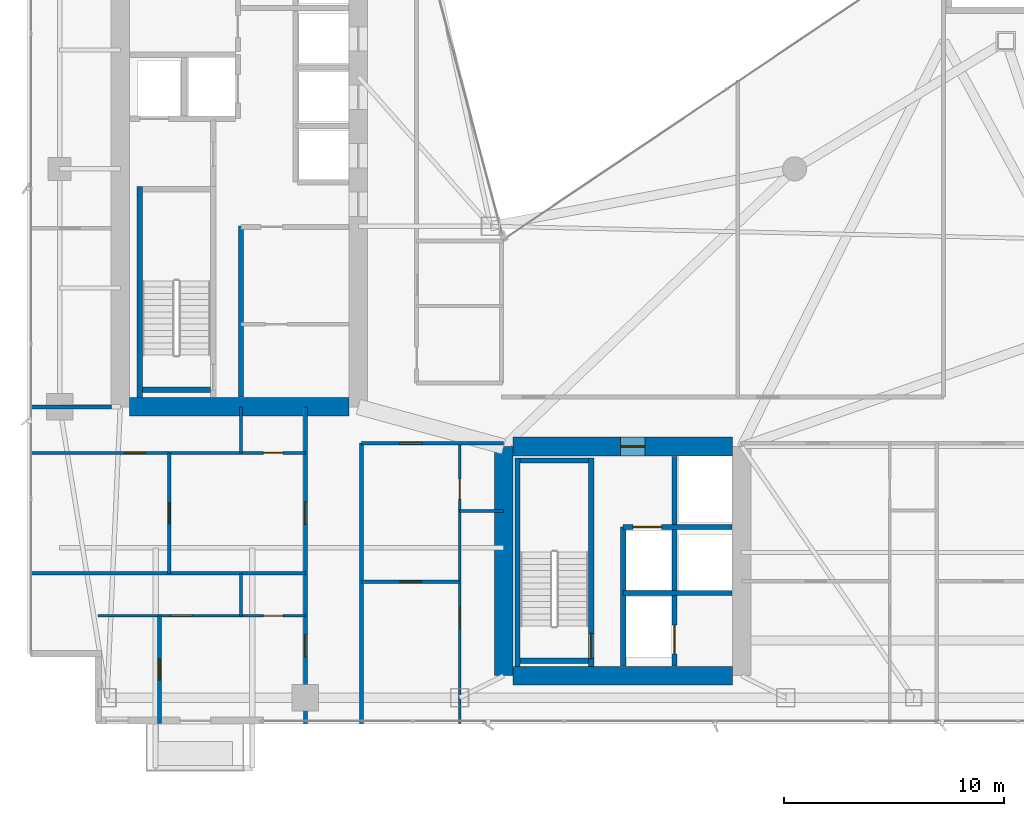
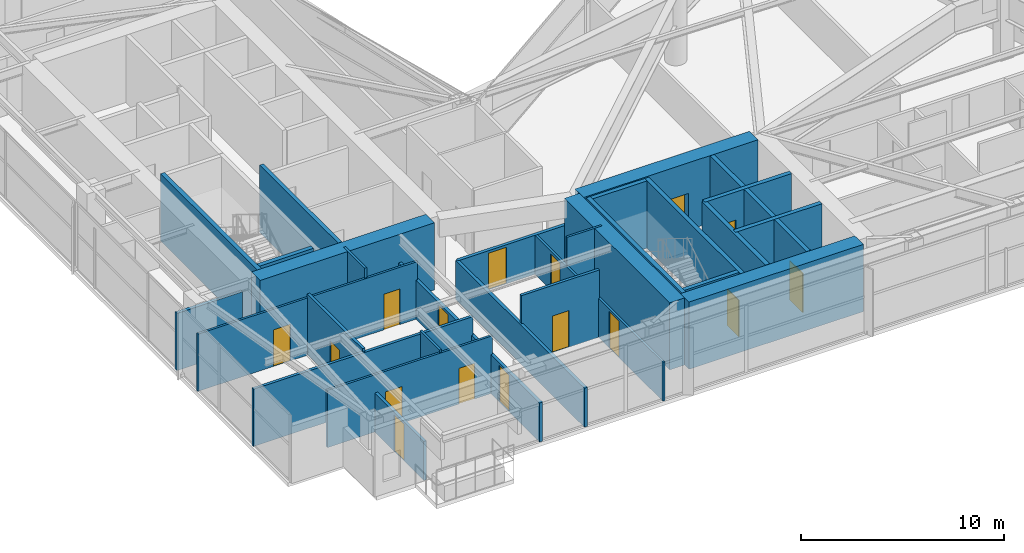
# One storey, part 24 of 30: 29 walls, 16 doors, 16 openings.
"""IFC4 building model written with IfcOpenShell, lengths in metres."""

from ifc_helpers import new_model, si_unit, direction, frame, frame_2d, origin, place, context, subcontext, project, spatial, rectangle, extrude, material, layer, layer_set, type_object, element, fill, save


model = new_model("IFC4")

# Units and contexts
model_context = context("Model", 3, precision=1e-05, world=origin(), true_north=direction((0.0, 1.0)))
body_context = subcontext(model_context, "Body", "Model", "MODEL_VIEW")
ifc_project = project(units=[si_unit("LENGTHUNIT", "METRE"), si_unit("AREAUNIT", "SQUARE_METRE"), si_unit("VOLUMEUNIT", "CUBIC_METRE"), si_unit("PLANEANGLEUNIT", "RADIAN"), si_unit("MASSUNIT", "GRAM", prefix="KILO")], contexts=[model_context])

# Site, building, storey
site_placement = place(None, origin())
site = spatial("IfcSite", under=ifc_project, at=site_placement, CompositionType="ELEMENT")
building_placement = place(site_placement, origin())
building = spatial("IfcBuilding", under=site, at=building_placement, Name="Calvorn Quay Hotel", CompositionType="ELEMENT")
storey_placement = place(building_placement, frame((0.0, 0.0, 195.10009765625)))
storey = spatial("IfcBuildingStorey", under=building, at=storey_placement, Name="L48", CompositionType="ELEMENT", Elevation=195.10009765625)

# Walls
ifc_material_1 = material(Name="Concrete C50", Category="concrete")
ifc_layer_1 = layer(ifc_material_1, 0.85009765625)
ifc_layer_set_1 = layer_set([ifc_layer_1], Name="WL-CORE-850")
wall_type_1 = type_object("IfcWallType", Name="WL-CORE-850", PredefinedType="SHEAR", material=ifc_layer_set_1)
wall_1_placement = place(storey_placement, frame((4.625, 16.800048828125, 0.0), z_axis=(0.0, 0.0, 1.0), x_axis=(1.0, 0.0, 0.0)))
element("IfcWall", 1, at=wall_1_placement, inside=storey, type_object=wall_type_1, Name="West Core Shear Wall S (L48)", PredefinedType="SHEAR", context=body_context, shape_type="SweptSolid", body=[
    extrude(rectangle(XDim=9.949951171875, YDim=0.85009765625, at=frame_2d((4.97509765625, 0.0))), origin(), (0.0, 0.0, 1.0), 4.0498046875),
])
wall_2_placement = place(storey_placement, frame((21.60009765625, 4.60009765625, 0.0), z_axis=(0.0, 0.0, 1.0), x_axis=(0.0, 1.0, 0.0)))
element("IfcWall", 2, at=wall_2_placement, inside=storey, type_object=wall_type_1, Name="East Core Shear Wall W (L48)", PredefinedType="SHEAR", context=body_context, shape_type="SweptSolid", body=[
    extrude(rectangle(XDim=10.39990234375, YDim=0.85009765625, at=frame_2d((5.199951171875, 0.0))), origin(), (0.0, 0.0, 1.0), 4.0498046875),
])

# Wall, opening, door
wall_3_placement = place(storey_placement, frame((22.02490234375, 15.0, 0.0), z_axis=(0.0, 0.0, 1.0), x_axis=(1.0, 0.0, 0.0)))
wall_3 = element("IfcWall", 3, at=wall_3_placement, inside=storey, type_object=wall_type_1, Name="East Core Shear Wall N (L48)", PredefinedType="SHEAR", context=body_context, shape_type="SweptSolid", body=[
    extrude(rectangle(XDim=9.9501953125, YDim=0.85009765625, at=frame_2d((4.97509765625, 0.0))), origin(), (0.0, 0.0, 1.0), 4.0498046875),
])
opening_1_placement = place(wall_3_placement, frame((4.8798828125, 0.0, 0.0)))
opening_1 = element("IfcOpeningElement", 4, at=opening_1_placement, cuts=wall_3, Name="Opening D-L48-FLE", PredefinedType="OPENING", context=body_context, shape_type="SweptSolid", body=[
    extrude(rectangle(XDim=1.10009765625, YDim=2.199951171875, at=frame_2d((0.550048828125, 1.10009765625))), frame((0.0, 0.43505859375, 0.0), z_axis=(0.0, -1.0, 0.0), x_axis=(1.0, 0.0, 0.0)), (0.0, 0.0, 1.0), 0.8701171875),
])
ifc_material_2 = material(Name="Smoke-Sealed Steel Class A Fire Door", Category="steel")
door_type_1 = type_object("IfcDoorType", Name="DR-FFLOBBY-1100", OperationType="NOTDEFINED", PredefinedType="DOOR", material=ifc_material_2)
door_1_placement = place(opening_1_placement, origin())
door_1 = element("IfcDoor", 5, at=door_1_placement, inside=storey, type_object=door_type_1, Name="East Firefighting Lobby Fire Door (L48)", OperationType="SINGLE_SWING_RIGHT", OverallHeight=2.199951171875, OverallWidth=1.10009765625, PredefinedType="DOOR", context=body_context, shape_type="SweptSolid", body=[
    extrude(rectangle(XDim=1.10009765625, YDim=2.199951171875, at=frame_2d((0.550048828125, 1.10009765625))), frame((0.0, 0.02490234375, 0.0), z_axis=(0.0, -1.0, 0.0), x_axis=(1.0, 0.0, 0.0)), (0.0, 0.0, 1.0), 0.050048828125),
])
fill(opening_1, door_1)

# Walls
wall_4_placement = place(storey_placement, frame((22.02490234375, 4.60009765625, 0.0), z_axis=(0.0, 0.0, 1.0), x_axis=(1.0, 0.0, 0.0)))
element("IfcWall", 6, at=wall_4_placement, inside=storey, type_object=wall_type_1, Name="East Core Shear Wall S (L48)", PredefinedType="SHEAR", context=body_context, shape_type="SweptSolid", body=[
    extrude(rectangle(XDim=9.9501953125, YDim=0.85009765625, at=frame_2d((4.97509765625, 0.0))), origin(), (0.0, 0.0, 1.0), 4.0498046875),
])
ifc_material_3 = material(Name="Acoustic Fireboard Steel-Stud Partition", Category="steel")
ifc_layer_2 = layer(ifc_material_3, 0.179931640625)
ifc_layer_set_2 = layer_set([ifc_layer_2], Name="WL-CORR-FIRE-180")
wall_type_2 = type_object("IfcWallType", Name="WL-CORR-FIRE-180", PredefinedType="PARTITIONING", material=ifc_layer_set_2)
wall_5_placement = place(storey_placement, frame((0.080078125, 16.800048828125, 0.0), z_axis=(0.0, 0.0, 1.0), x_axis=(1.0, 0.0, 0.0)))
element("IfcWall", 7, at=wall_5_placement, inside=storey, type_object=wall_type_2, Name="Partition Wall L48-WL-WBAY-S-WALL", PredefinedType="PARTITIONING", context=body_context, shape_type="SweptSolid", body=[
    extrude(rectangle(XDim=3.724853515625, YDim=0.179931640625, at=frame_2d((1.8623046875, 0.0))), origin(), (0.0, 0.0, 1.0), 3.449951171875),
])

# Wall, openings, doors
wall_6_placement = place(storey_placement, frame((12.60009765625, 2.43994140625, 0.0), z_axis=(0.0, 0.0, 1.0), x_axis=(0.0, 1.0, 0.0)))
wall_6 = element("IfcWall", 8, at=wall_6_placement, inside=storey, type_object=wall_type_2, Name="Partition Wall L48-WL-CORR-SW-LEG-W", PredefinedType="PARTITIONING", context=body_context, shape_type="SweptSolid", body=[
    extrude(rectangle(XDim=14.360107421875, YDim=0.179931640625, at=frame_2d((7.18017578125, 0.0))), origin(), (0.0, 0.0, 1.0), 2.349853515625),
])
opening_2_placement = place(wall_6_placement, frame((3.010009765625, 0.0, 0.0)))
opening_2 = element("IfcOpeningElement", 9, at=opening_2_placement, cuts=wall_6, Name="Opening D-L48-U01", PredefinedType="OPENING", context=body_context, shape_type="SweptSolid", body=[
    extrude(rectangle(XDim=1.02001953125, YDim=2.199951171875, at=frame_2d((0.510009765625, 1.10009765625))), frame((0.0, 0.099853515625, 0.0), z_axis=(0.0, -1.0, 0.0), x_axis=(1.0, 0.0, 0.0)), (0.0, 0.0, 1.0), 0.199951171875),
])
opening_3_placement = place(wall_6_placement, frame((9.030029296875, 0.0, 0.0)))
opening_3 = element("IfcOpeningElement", 10, at=opening_3_placement, cuts=wall_6, Name="Opening D-L48-U02", PredefinedType="OPENING", context=body_context, shape_type="SweptSolid", body=[
    extrude(rectangle(XDim=1.02001953125, YDim=2.199951171875, at=frame_2d((0.510009765625, 1.10009765625))), frame((0.0, 0.099853515625, 0.0), z_axis=(0.0, -1.0, 0.0), x_axis=(1.0, 0.0, 0.0)), (0.0, 0.0, 1.0), 0.199951171875),
])
ifc_material_4 = material(Name="Solid-Core Walnut Veneer Hotel Fire Door")
door_type_2 = type_object("IfcDoorType", Name="DR-GUEST-ENTRY-1020", OperationType="NOTDEFINED", PredefinedType="DOOR", material=ifc_material_4)
door_2_placement = place(opening_2_placement, origin())
door_2 = element("IfcDoor", 11, at=door_2_placement, inside=storey, type_object=door_type_2, Name="South-West Unit Door U01 (L48)", OperationType="SINGLE_SWING_LEFT", OverallHeight=2.199951171875, OverallWidth=1.02001953125, PredefinedType="DOOR", context=body_context, shape_type="SweptSolid", body=[
    extrude(rectangle(XDim=1.02001953125, YDim=2.199951171875, at=frame_2d((0.510009765625, 1.10009765625))), frame((0.0, 0.02490234375, 0.0), z_axis=(0.0, -1.0, 0.0), x_axis=(1.0, 0.0, 0.0)), (0.0, 0.0, 1.0), 0.050048828125),
])
fill(opening_2, door_2)
door_3_placement = place(opening_3_placement, origin())
door_3 = element("IfcDoor", 12, at=door_3_placement, inside=storey, type_object=door_type_2, Name="South-West Unit Door U02 (L48)", OperationType="SINGLE_SWING_RIGHT", OverallHeight=2.199951171875, OverallWidth=1.02001953125, PredefinedType="DOOR", context=body_context, shape_type="SweptSolid", body=[
    extrude(rectangle(XDim=1.02001953125, YDim=2.199951171875, at=frame_2d((0.510009765625, 1.10009765625))), frame((0.0, 0.02490234375, 0.0), z_axis=(0.0, -1.0, 0.0), x_axis=(1.0, 0.0, 0.0)), (0.0, 0.0, 1.0), 0.050048828125),
])
fill(opening_3, door_3)

# Wall
wall_7_placement = place(storey_placement, frame((15.14990234375, 2.43994140625, 0.0), z_axis=(0.0, 0.0, 1.0), x_axis=(0.0, 1.0, 0.0)))
element("IfcWall", 13, at=wall_7_placement, inside=storey, type_object=wall_type_2, Name="Partition Wall L48-WL-CORR-SW-W", PredefinedType="PARTITIONING", context=body_context, shape_type="SweptSolid", body=[
    extrude(rectangle(XDim=12.7099609375, YDim=0.179931640625, at=frame_2d((6.35498046875, 0.0))), origin(), (0.0, 0.0, 1.0), 2.349853515625),
])

# Wall, opening, door
wall_8_placement = place(storey_placement, frame((15.14990234375, 15.14990234375, 0.0), z_axis=(0.0, 0.0, 1.0), x_axis=(1.0, 0.0, 0.0)))
wall_8 = element("IfcWall", 14, at=wall_8_placement, inside=storey, type_object=wall_type_2, Name="Partition Wall L48-WL-SC-CORR-S", PredefinedType="PARTITIONING", context=body_context, shape_type="SweptSolid", body=[
    extrude(rectangle(XDim=6.4501953125, YDim=0.179931640625, at=frame_2d((3.22509765625, 0.0))), origin(), (0.0, 0.0, 1.0), 2.349853515625),
])
opening_4_placement = place(wall_8_placement, frame((1.739990234375, 0.0, 0.0)))
opening_4 = element("IfcOpeningElement", 15, at=opening_4_placement, cuts=wall_8, Name="Opening D-L48-U03", PredefinedType="OPENING", context=body_context, shape_type="SweptSolid", body=[
    extrude(rectangle(XDim=1.02001953125, YDim=2.199951171875, at=frame_2d((0.510009765625, 1.10009765625))), frame((0.0, 0.099853515625, 0.0), z_axis=(0.0, -1.0, 0.0), x_axis=(1.0, 0.0, 0.0)), (0.0, 0.0, 1.0), 0.199951171875),
])
door_4_placement = place(opening_4_placement, origin())
door_4 = element("IfcDoor", 16, at=door_4_placement, inside=storey, type_object=door_type_2, Name="Harbour Central Unit Door (L48)", OperationType="SINGLE_SWING_LEFT", OverallHeight=2.199951171875, OverallWidth=1.02001953125, PredefinedType="DOOR", context=body_context, shape_type="SweptSolid", body=[
    extrude(rectangle(XDim=1.02001953125, YDim=2.199951171875, at=frame_2d((0.510009765625, 1.10009765625))), frame((0.0, 0.02490234375, 0.0), z_axis=(0.0, -1.0, 0.0), x_axis=(1.0, 0.0, 0.0)), (0.0, 0.0, 1.0), 0.050048828125),
])
fill(opening_4, door_4)

# Wall
ifc_material_5 = material(Name="Moisture-Resistant Tile-Backed Partition")
ifc_layer_3 = layer(ifc_material_5, 0.125)
ifc_layer_set_3 = layer_set([ifc_layer_3], Name="WL-ENSUITE-125")
wall_type_3 = type_object("IfcWallType", Name="WL-ENSUITE-125", PredefinedType="PARTITIONING", material=ifc_layer_set_3)
wall_9_placement = place(storey_placement, frame((9.679931640625, 7.320068359375, 0.0), z_axis=(0.0, 0.0, 1.0), x_axis=(0.0, 1.0, 0.0)))
element("IfcWall", 17, at=wall_9_placement, inside=storey, type_object=wall_type_3, Name="Partition Wall L48-WL-U01-BDV", PredefinedType="PARTITIONING", context=body_context, shape_type="SweptSolid", body=[
    extrude(rectangle(XDim=1.929931640625, YDim=0.125, at=frame_2d((0.96484375, 0.0))), origin(), (0.0, 0.0, 1.0), 3.599853515625),
])

# Wall, openings, doors
wall_10_placement = place(storey_placement, frame((3.199951171875, 7.320068359375, 0.0), z_axis=(0.0, 0.0, 1.0), x_axis=(1.0, 0.0, 0.0)))
wall_10 = element("IfcWall", 18, at=wall_10_placement, inside=storey, type_object=wall_type_3, Name="Partition Wall L48-WL-U01-BH", PredefinedType="PARTITIONING", context=body_context, shape_type="SweptSolid", body=[
    extrude(rectangle(XDim=9.400146484375, YDim=0.125, at=frame_2d((4.7001953125, 0.0))), origin(), (0.0, 0.0, 1.0), 3.449951171875),
])
opening_5_placement = place(wall_10_placement, frame((3.300048828125, 0.0, 0.0)))
opening_5 = element("IfcOpeningElement", 19, at=opening_5_placement, cuts=wall_10, Name="Opening D-L48-S01", PredefinedType="OPENING", context=body_context, shape_type="SweptSolid", body=[
    extrude(rectangle(XDim=0.9599609375, YDim=2.199951171875, at=frame_2d((0.47998046875, 1.10009765625))), frame((0.0, 0.072509765625, 0.0), z_axis=(0.0, -1.0, 0.0), x_axis=(1.0, 0.0, 0.0)), (0.0, 0.0, 1.0), 0.14501953125),
])
opening_6_placement = place(wall_10_placement, frame((7.489990234375, 0.0, 0.0)))
opening_6 = element("IfcOpeningElement", 20, at=opening_6_placement, cuts=wall_10, Name="Opening D-L48-E01", PredefinedType="OPENING", context=body_context, shape_type="SweptSolid", body=[
    extrude(rectangle(XDim=0.89990234375, YDim=2.14990234375, at=frame_2d((0.449951171875, 1.074951171875))), frame((0.0, 0.072509765625, 0.0), z_axis=(0.0, -1.0, 0.0), x_axis=(1.0, 0.0, 0.0)), (0.0, 0.0, 1.0), 0.14501953125),
])
ifc_material_6 = material(Name="Moisture-Sealed Timber En-Suite Door", Category="wood")
door_type_3 = type_object("IfcDoorType", Name="DR-ENSUITE-900", OperationType="NOTDEFINED", PredefinedType="DOOR", material=ifc_material_6)
door_5_placement = place(opening_6_placement, origin())
door_5 = element("IfcDoor", 21, at=door_5_placement, inside=storey, type_object=door_type_3, Name="En-Suite Door 01", OperationType="SINGLE_SWING_RIGHT", OverallHeight=2.14990234375, OverallWidth=0.89990234375, PredefinedType="DOOR", context=body_context, shape_type="SweptSolid", body=[
    extrude(rectangle(XDim=0.89990234375, YDim=2.14990234375, at=frame_2d((0.449951171875, 1.074951171875))), frame((0.0, 0.02490234375, 0.0), z_axis=(0.0, -1.0, 0.0), x_axis=(1.0, 0.0, 0.0)), (0.0, 0.0, 1.0), 0.050048828125),
])
fill(opening_6, door_5)
ifc_material_7 = material(Name="Solid Timber Internal Suite Door", Category="wood")
door_type_4 = type_object("IfcDoorType", Name="DR-SUITE-INT-960", OperationType="NOTDEFINED", PredefinedType="DOOR", material=ifc_material_7)
door_6_placement = place(opening_5_placement, origin())
door_6 = element("IfcDoor", 22, at=door_6_placement, inside=storey, type_object=door_type_4, Name="Harbour Dining Den Door 01", OperationType="SINGLE_SWING_LEFT", OverallHeight=2.199951171875, OverallWidth=0.9599609375, PredefinedType="DOOR", context=body_context, shape_type="SweptSolid", body=[
    extrude(rectangle(XDim=0.9599609375, YDim=2.199951171875, at=frame_2d((0.47998046875, 1.10009765625))), frame((0.0, 0.02490234375, 0.0), z_axis=(0.0, -1.0, 0.0), x_axis=(1.0, 0.0, 0.0)), (0.0, 0.0, 1.0), 0.050048828125),
])
fill(opening_5, door_6)

# Wall
wall_11_placement = place(storey_placement, frame((9.679931640625, 14.7099609375, 0.0), z_axis=(0.0, 0.0, 1.0), x_axis=(0.0, 1.0, 0.0)))
element("IfcWall", 23, at=wall_11_placement, inside=storey, type_object=wall_type_3, Name="Partition Wall L48-WL-U02-BDV", PredefinedType="PARTITIONING", context=body_context, shape_type="SweptSolid", body=[
    extrude(rectangle(XDim=2.090087890625, YDim=0.125, at=frame_2d((1.044921875, 0.0))), origin(), (0.0, 0.0, 1.0), 4.0498046875),
])

# Wall, openings, doors
wall_12_placement = place(storey_placement, frame((0.080078125, 14.7099609375, 0.0), z_axis=(0.0, 0.0, 1.0), x_axis=(1.0, 0.0, 0.0)))
wall_12 = element("IfcWall", 24, at=wall_12_placement, inside=storey, type_object=wall_type_3, Name="Partition Wall L48-WL-U02-BH", PredefinedType="PARTITIONING", context=body_context, shape_type="SweptSolid", body=[
    extrude(rectangle(XDim=12.52001953125, YDim=0.125, at=frame_2d((6.260009765625, 0.0))), origin(), (0.0, 0.0, 1.0), 3.449951171875),
])
opening_7_placement = place(wall_12_placement, frame((4.320068359375, 0.0, 0.0)))
opening_7 = element("IfcOpeningElement", 25, at=opening_7_placement, cuts=wall_12, Name="Opening D-L48-S02", PredefinedType="OPENING", context=body_context, shape_type="SweptSolid", body=[
    extrude(rectangle(XDim=0.9599609375, YDim=2.199951171875, at=frame_2d((0.47998046875, 1.10009765625))), frame((0.0, 0.072509765625, 0.0), z_axis=(0.0, -1.0, 0.0), x_axis=(1.0, 0.0, 0.0)), (0.0, 0.0, 1.0), 0.14501953125),
])
opening_8_placement = place(wall_12_placement, frame((10.610107421875, 0.0, 0.0)))
opening_8 = element("IfcOpeningElement", 26, at=opening_8_placement, cuts=wall_12, Name="Opening D-L48-E02", PredefinedType="OPENING", context=body_context, shape_type="SweptSolid", body=[
    extrude(rectangle(XDim=0.89990234375, YDim=2.14990234375, at=frame_2d((0.449951171875, 1.074951171875))), frame((0.0, 0.072509765625, 0.0), z_axis=(0.0, -1.0, 0.0), x_axis=(1.0, 0.0, 0.0)), (0.0, 0.0, 1.0), 0.14501953125),
])
door_7_placement = place(opening_8_placement, origin())
door_7 = element("IfcDoor", 27, at=door_7_placement, inside=storey, type_object=door_type_3, Name="En-Suite Door 02", OperationType="SINGLE_SWING_RIGHT", OverallHeight=2.14990234375, OverallWidth=0.89990234375, PredefinedType="DOOR", context=body_context, shape_type="SweptSolid", body=[
    extrude(rectangle(XDim=0.89990234375, YDim=2.14990234375, at=frame_2d((0.449951171875, 1.074951171875))), frame((0.0, 0.02490234375, 0.0), z_axis=(0.0, -1.0, 0.0), x_axis=(1.0, 0.0, 0.0)), (0.0, 0.0, 1.0), 0.050048828125),
])
fill(opening_8, door_7)
door_8_placement = place(opening_7_placement, origin())
door_8 = element("IfcDoor", 28, at=door_8_placement, inside=storey, type_object=door_type_4, Name="Harbour Dining Den Door 02", OperationType="SINGLE_SWING_LEFT", OverallHeight=2.199951171875, OverallWidth=0.9599609375, PredefinedType="DOOR", context=body_context, shape_type="SweptSolid", body=[
    extrude(rectangle(XDim=0.9599609375, YDim=2.199951171875, at=frame_2d((0.47998046875, 1.10009765625))), frame((0.0, 0.02490234375, 0.0), z_axis=(0.0, -1.0, 0.0), x_axis=(1.0, 0.0, 0.0)), (0.0, 0.0, 1.0), 0.050048828125),
])
fill(opening_7, door_8)

# Wall
wall_13_placement = place(storey_placement, frame((19.60009765625, 12.070068359375, 0.0), z_axis=(0.0, 0.0, 1.0), x_axis=(1.0, 0.0, 0.0)))
element("IfcWall", 29, at=wall_13_placement, inside=storey, type_object=wall_type_3, Name="Partition Wall L48-WL-U03-BDV", PredefinedType="PARTITIONING", context=body_context, shape_type="SweptSolid", body=[
    extrude(rectangle(XDim=2.0, YDim=0.125, at=frame_2d((1.0, 0.0))), origin(), (0.0, 0.0, 1.0), 4.0498046875),
])

# Wall, openings, doors
wall_14_placement = place(storey_placement, frame((19.60009765625, 2.43994140625, 0.0), z_axis=(0.0, 0.0, 1.0), x_axis=(0.0, 1.0, 0.0)))
wall_14 = element("IfcWall", 30, at=wall_14_placement, inside=storey, type_object=wall_type_3, Name="Partition Wall L48-WL-U03-BV", PredefinedType="PARTITIONING", context=body_context, shape_type="SweptSolid", body=[
    extrude(rectangle(XDim=12.7099609375, YDim=0.125, at=frame_2d((6.35498046875, 0.0))), origin(), (0.0, 0.0, 1.0), 2.349853515625),
])
opening_9_placement = place(wall_14_placement, frame((4.340087890625, 0.0, 0.0)))
opening_9 = element("IfcOpeningElement", 31, at=opening_9_placement, cuts=wall_14, Name="Opening D-L48-S03", PredefinedType="OPENING", context=body_context, shape_type="SweptSolid", body=[
    extrude(rectangle(XDim=0.9599609375, YDim=2.199951171875, at=frame_2d((0.47998046875, 1.10009765625))), frame((0.0, 0.072509765625, 0.0), z_axis=(0.0, -1.0, 0.0), x_axis=(1.0, 0.0, 0.0)), (0.0, 0.0, 1.0), 0.14501953125),
])
opening_10_placement = place(wall_14_placement, frame((10.179931640625, 0.0, 0.0)))
opening_10 = element("IfcOpeningElement", 32, at=opening_10_placement, cuts=wall_14, Name="Opening D-L48-E03", PredefinedType="OPENING", context=body_context, shape_type="SweptSolid", body=[
    extrude(rectangle(XDim=0.89990234375, YDim=2.14990234375, at=frame_2d((0.449951171875, 1.074951171875))), frame((0.0, 0.072509765625, 0.0), z_axis=(0.0, -1.0, 0.0), x_axis=(1.0, 0.0, 0.0)), (0.0, 0.0, 1.0), 0.14501953125),
])
door_9_placement = place(opening_10_placement, origin())
door_9 = element("IfcDoor", 33, at=door_9_placement, inside=storey, type_object=door_type_3, Name="En-Suite Door 03", OperationType="SINGLE_SWING_RIGHT", OverallHeight=2.14990234375, OverallWidth=0.89990234375, PredefinedType="DOOR", context=body_context, shape_type="SweptSolid", body=[
    extrude(rectangle(XDim=0.89990234375, YDim=2.14990234375, at=frame_2d((0.449951171875, 1.074951171875))), frame((0.0, 0.02490234375, 0.0), z_axis=(0.0, -1.0, 0.0), x_axis=(1.0, 0.0, 0.0)), (0.0, 0.0, 1.0), 0.050048828125),
])
fill(opening_10, door_9)
door_10_placement = place(opening_9_placement, origin())
door_10 = element("IfcDoor", 34, at=door_10_placement, inside=storey, type_object=door_type_4, Name="Harbour Dining Den Door 03", OperationType="SINGLE_SWING_LEFT", OverallHeight=2.199951171875, OverallWidth=0.9599609375, PredefinedType="DOOR", context=body_context, shape_type="SweptSolid", body=[
    extrude(rectangle(XDim=0.9599609375, YDim=2.199951171875, at=frame_2d((0.47998046875, 1.10009765625))), frame((0.0, 0.02490234375, 0.0), z_axis=(0.0, -1.0, 0.0), x_axis=(1.0, 0.0, 0.0)), (0.0, 0.0, 1.0), 0.050048828125),
])
fill(opening_9, door_10)

# Wall, opening, door
ifc_material_8 = material(Name="Double-Stud Acoustic Gypsum Partition")
ifc_layer_4 = layer(ifc_material_8, 0.159912109375)
ifc_layer_set_4 = layer_set([ifc_layer_4], Name="WL-INTERSUITE-160")
wall_type_4 = type_object("IfcWallType", Name="WL-INTERSUITE-160", PredefinedType="PARTITIONING", material=ifc_layer_set_4)
wall_15_placement = place(storey_placement, frame((5.97998046875, 2.43994140625, 0.0), z_axis=(0.0, 0.0, 1.0), x_axis=(0.0, 1.0, 0.0)))
wall_15 = element("IfcWall", 35, at=wall_15_placement, inside=storey, type_object=wall_type_4, Name="Partition Wall L48-WL-U01-MSP", PredefinedType="PARTITIONING", context=body_context, shape_type="SweptSolid", body=[
    extrude(rectangle(XDim=4.880126953125, YDim=0.159912109375, at=frame_2d((2.43994140625, 0.0))), origin(), (0.0, 0.0, 1.0), 2.349853515625),
])
opening_11_placement = place(wall_15_placement, frame((1.9599609375, 0.0, 0.0)))
opening_11 = element("IfcOpeningElement", 36, at=opening_11_placement, cuts=wall_15, Name="Opening D-L48-M01", PredefinedType="OPENING", context=body_context, shape_type="SweptSolid", body=[
    extrude(rectangle(XDim=0.9599609375, YDim=2.199951171875, at=frame_2d((0.47998046875, 1.10009765625))), frame((0.0, 0.08984375, 0.0), z_axis=(0.0, -1.0, 0.0), x_axis=(1.0, 0.0, 0.0)), (0.0, 0.0, 1.0), 0.179931640625),
])
door_11_placement = place(opening_11_placement, origin())
door_11 = element("IfcDoor", 37, at=door_11_placement, inside=storey, type_object=door_type_4, Name="Suite Bedroom Door 01", OperationType="SINGLE_SWING_LEFT", OverallHeight=2.199951171875, OverallWidth=0.9599609375, PredefinedType="DOOR", context=body_context, shape_type="SweptSolid", body=[
    extrude(rectangle(XDim=0.9599609375, YDim=2.199951171875, at=frame_2d((0.47998046875, 1.10009765625))), frame((0.0, 0.02490234375, 0.0), z_axis=(0.0, -1.0, 0.0), x_axis=(1.0, 0.0, 0.0)), (0.0, 0.0, 1.0), 0.050048828125),
])
fill(opening_11, door_11)

wall_16_placement = place(storey_placement, frame((6.419921875, 9.25, 0.0), z_axis=(0.0, 0.0, 1.0), x_axis=(0.0, 1.0, 0.0)))
wall_16 = element("IfcWall", 38, at=wall_16_placement, inside=storey, type_object=wall_type_4, Name="Partition Wall L48-WL-U02-MSP", PredefinedType="PARTITIONING", context=body_context, shape_type="SweptSolid", body=[
    extrude(rectangle(XDim=5.4599609375, YDim=0.159912109375, at=frame_2d((2.72998046875, 0.0))), origin(), (0.0, 0.0, 1.0), 3.64990234375),
])
opening_12_placement = place(wall_16_placement, frame((2.25, 0.0, 0.0)))
opening_12 = element("IfcOpeningElement", 39, at=opening_12_placement, cuts=wall_16, Name="Opening D-L48-M02", PredefinedType="OPENING", context=body_context, shape_type="SweptSolid", body=[
    extrude(rectangle(XDim=0.9599609375, YDim=2.199951171875, at=frame_2d((0.47998046875, 1.10009765625))), frame((0.0, 0.08984375, 0.0), z_axis=(0.0, -1.0, 0.0), x_axis=(1.0, 0.0, 0.0)), (0.0, 0.0, 1.0), 0.179931640625),
])
door_12_placement = place(opening_12_placement, origin())
door_12 = element("IfcDoor", 40, at=door_12_placement, inside=storey, type_object=door_type_4, Name="Suite Bedroom Door 02", OperationType="SINGLE_SWING_LEFT", OverallHeight=2.199951171875, OverallWidth=0.9599609375, PredefinedType="DOOR", context=body_context, shape_type="SweptSolid", body=[
    extrude(rectangle(XDim=0.9599609375, YDim=2.199951171875, at=frame_2d((0.47998046875, 1.10009765625))), frame((0.0, 0.02490234375, 0.0), z_axis=(0.0, -1.0, 0.0), x_axis=(1.0, 0.0, 0.0)), (0.0, 0.0, 1.0), 0.050048828125),
])
fill(opening_12, door_12)

# Wall
wall_17_placement = place(storey_placement, frame((0.080078125, 9.25, 0.0), z_axis=(0.0, 0.0, 1.0), x_axis=(1.0, 0.0, 0.0)))
element("IfcWall", 41, at=wall_17_placement, inside=storey, type_object=wall_type_4, Name="Partition Wall L48-WL-SW-DIV-1", PredefinedType="PARTITIONING", context=body_context, shape_type="SweptSolid", body=[
    extrude(rectangle(XDim=12.52001953125, YDim=0.159912109375, at=frame_2d((6.260009765625, 0.0))), origin(), (0.0, 0.0, 1.0), 3.449951171875),
])

# Wall, opening, door
wall_18_placement = place(storey_placement, frame((15.14990234375, 8.8701171875, 0.0), z_axis=(0.0, 0.0, 1.0), x_axis=(1.0, 0.0, 0.0)))
wall_18 = element("IfcWall", 42, at=wall_18_placement, inside=storey, type_object=wall_type_4, Name="Partition Wall L48-WL-U03-MSP", PredefinedType="PARTITIONING", context=body_context, shape_type="SweptSolid", body=[
    extrude(rectangle(XDim=4.4501953125, YDim=0.159912109375, at=frame_2d((2.22509765625, 0.0))), origin(), (0.0, 0.0, 1.0), 4.0498046875),
])
opening_13_placement = place(wall_18_placement, frame((1.75, 0.0, 0.0)))
opening_13 = element("IfcOpeningElement", 43, at=opening_13_placement, cuts=wall_18, Name="Opening D-L48-M03", PredefinedType="OPENING", context=body_context, shape_type="SweptSolid", body=[
    extrude(rectangle(XDim=0.9599609375, YDim=2.199951171875, at=frame_2d((0.47998046875, 1.10009765625))), frame((0.0, 0.08984375, 0.0), z_axis=(0.0, -1.0, 0.0), x_axis=(1.0, 0.0, 0.0)), (0.0, 0.0, 1.0), 0.179931640625),
])
door_13_placement = place(opening_13_placement, origin())
door_13 = element("IfcDoor", 44, at=door_13_placement, inside=storey, type_object=door_type_4, Name="Suite Bedroom Door 03", OperationType="SINGLE_SWING_LEFT", OverallHeight=2.199951171875, OverallWidth=0.9599609375, PredefinedType="DOOR", context=body_context, shape_type="SweptSolid", body=[
    extrude(rectangle(XDim=0.9599609375, YDim=2.199951171875, at=frame_2d((0.47998046875, 1.10009765625))), frame((0.0, 0.02490234375, 0.0), z_axis=(0.0, -1.0, 0.0), x_axis=(1.0, 0.0, 0.0)), (0.0, 0.0, 1.0), 0.050048828125),
])
fill(opening_13, door_13)

# Walls
ifc_material_9 = material(Name="Autoclaved Aerated Masonry Block", Category="masonry")
ifc_layer_5 = layer(ifc_material_9, 0.219970703125)
ifc_layer_set_5 = layer_set([ifc_layer_5], Name="WL-LOBBY-FIRE-220")
wall_type_5 = type_object("IfcWallType", Name="WL-LOBBY-FIRE-220", PredefinedType="SOLIDWALL", material=ifc_layer_set_5)
wall_19_placement = place(storey_placement, frame((9.679931640625, 17.2451171875, 0.0), z_axis=(0.0, 0.0, 1.0), x_axis=(0.0, 1.0, 0.0)))
element("IfcWall", 45, at=wall_19_placement, inside=storey, type_object=wall_type_5, Name="Partition Wall L48-WL-CWW-STW-HALL-E", PredefinedType="SOLIDWALL", context=body_context, shape_type="SweptSolid", body=[
    extrude(rectangle(XDim=7.7548828125, YDim=0.219970703125, at=frame_2d((3.87744140625, 0.0))), origin(), (0.0, 0.0, 1.0), 4.0498046875),
])
ifc_material_10 = material(Name="Concrete C40", Category="concrete")
ifc_layer_6 = layer(ifc_material_10, 0.239990234375)
ifc_layer_set_6 = layer_set([ifc_layer_6], Name="WL-SHAFT-240")
wall_type_6 = type_object("IfcWallType", Name="WL-SHAFT-240", PredefinedType="SOLIDWALL", material=ifc_layer_set_6)
wall_20_placement = place(storey_placement, frame((5.080078125, 17.22509765625, 0.0), z_axis=(0.0, 0.0, 1.0), x_axis=(0.0, 1.0, 0.0)))
element("IfcWall", 46, at=wall_20_placement, inside=storey, type_object=wall_type_6, Name="Stair STW Shaft Wall W (L48)", PredefinedType="SOLIDWALL", context=body_context, shape_type="SweptSolid", body=[
    extrude(rectangle(XDim=9.56494140625, YDim=0.239990234375, at=frame_2d((4.782470703125, 0.0))), origin(), (0.0, 0.0, 1.0), 4.0498046875),
])
wall_21_placement = place(storey_placement, frame((5.199951171875, 17.580078125, 0.0), z_axis=(0.0, 0.0, 1.0), x_axis=(1.0, 0.0, 0.0)))
element("IfcWall", 47, at=wall_21_placement, inside=storey, type_object=wall_type_6, Name="Stair STW Shaft Wall S (L48)", PredefinedType="SOLIDWALL", context=body_context, shape_type="SweptSolid", body=[
    extrude(rectangle(XDim=3.10009765625, YDim=0.239990234375, at=frame_2d((1.550048828125, 0.0))), origin(), (0.0, 0.0, 1.0), 4.0498046875),
])
wall_22_placement = place(storey_placement, frame((22.22998046875, 5.02490234375, 0.0), z_axis=(0.0, 0.0, 1.0), x_axis=(0.0, 1.0, 0.0)))
element("IfcWall", 48, at=wall_22_placement, inside=storey, type_object=wall_type_6, Name="Stair STE Shaft Wall W (L48)", PredefinedType="SOLIDWALL", context=body_context, shape_type="SweptSolid", body=[
    extrude(rectangle(XDim=9.465087890625, YDim=0.239990234375, at=frame_2d((4.732421875, 0.0))), origin(), (0.0, 0.0, 1.0), 4.0498046875),
])

# Wall, opening, door
wall_23_placement = place(storey_placement, frame((25.570068359375, 5.02490234375, 0.0), z_axis=(0.0, 0.0, 1.0), x_axis=(0.0, 1.0, 0.0)))
wall_23 = element("IfcWall", 49, at=wall_23_placement, inside=storey, type_object=wall_type_6, Name="Stair STE Shaft Wall E (L48)", PredefinedType="SOLIDWALL", context=body_context, shape_type="SweptSolid", body=[
    extrude(rectangle(XDim=9.465087890625, YDim=0.239990234375, at=frame_2d((4.732421875, 0.0))), origin(), (0.0, 0.0, 1.0), 4.0498046875),
])
opening_14_placement = place(wall_23_placement, frame((0.35009765625, 0.0, 0.0)))
opening_14 = element("IfcOpeningElement", 50, at=opening_14_placement, cuts=wall_23, Name="Opening D-L48-STE", PredefinedType="OPENING", context=body_context, shape_type="SweptSolid", body=[
    extrude(rectangle(XDim=1.14990234375, YDim=2.199951171875, at=frame_2d((0.574951171875, 1.10009765625))), frame((0.0, 0.1298828125, 0.0), z_axis=(0.0, -1.0, 0.0), x_axis=(1.0, 0.0, 0.0)), (0.0, 0.0, 1.0), 0.260009765625),
])
ifc_material_11 = material(Name="Galvanised Steel Class A Fire Door", Category="steel")
door_type_5 = type_object("IfcDoorType", Name="DR-STAIR-SMOKE-1150", OperationType="NOTDEFINED", PredefinedType="DOOR", material=ifc_material_11)
door_14_placement = place(opening_14_placement, origin())
door_14 = element("IfcDoor", 51, at=door_14_placement, inside=storey, type_object=door_type_5, Name="Stair ST-E Fire Door (L48)", OperationType="SINGLE_SWING_RIGHT", OverallHeight=2.199951171875, OverallWidth=1.14990234375, PredefinedType="DOOR", context=body_context, shape_type="SweptSolid", body=[
    extrude(rectangle(XDim=1.14990234375, YDim=2.199951171875, at=frame_2d((0.574951171875, 1.10009765625))), frame((0.0, 0.02490234375, 0.0), z_axis=(0.0, -1.0, 0.0), x_axis=(1.0, 0.0, 0.0)), (0.0, 0.0, 1.0), 0.050048828125),
])
fill(opening_14, door_14)

# Walls
for number, where, z_axis, x_axis, name in (
    (52, (22.35009765625, 5.280029296875, 0.0), (0.0, 0.0, 1.0), (1.0, 0.0, 0.0), "Stair STE Shaft Wall S (L48)"),
    (53, (22.35009765625, 14.3701171875, 0.0), (0.0, 0.0, 1.0), (1.0, 0.0, 0.0), "Stair STE Shaft Wall N (L48)"),
):
    element("IfcWall", number, at=place(storey_placement, frame(where, z_axis=z_axis, x_axis=x_axis)), inside=storey, type_object=wall_type_6, Name=name, PredefinedType="SOLIDWALL", context=body_context, shape_type="SweptSolid", body=[
        extrude(rectangle(XDim=3.099853515625, YDim=0.239990234375, at=frame_2d((1.5498046875, 0.0))), origin(), (0.0, 0.0, 1.0), 4.0498046875),
    ])
wall_24_placement = place(storey_placement, frame((27.02001953125, 5.044921875, 0.0), z_axis=(0.0, 0.0, 1.0), x_axis=(0.0, 1.0, 0.0)))
element("IfcWall", 54, at=wall_24_placement, inside=storey, type_object=wall_type_6, Name="Partition Wall L48-WL-CWE-SH-W", PredefinedType="SOLIDWALL", context=body_context, shape_type="SweptSolid", body=[
    extrude(rectangle(XDim=6.30517578125, YDim=0.239990234375, at=frame_2d((3.152587890625, 0.0))), origin(), (0.0, 0.0, 1.0), 4.0498046875),
])

# Wall, opening, door
wall_25_placement = place(storey_placement, frame((27.02001953125, 11.35009765625, 0.0), z_axis=(0.0, 0.0, 1.0), x_axis=(1.0, 0.0, 0.0)))
wall_25 = element("IfcWall", 55, at=wall_25_placement, inside=storey, type_object=wall_type_6, Name="Partition Wall L48-WL-CWE-FFL-S", PredefinedType="SOLIDWALL", context=body_context, shape_type="SweptSolid", body=[
    extrude(rectangle(XDim=4.93505859375, YDim=0.239990234375, at=frame_2d((2.467529296875, 0.0))), origin(), (0.0, 0.0, 1.0), 4.0498046875),
])
opening_15_placement = place(wall_25_placement, frame((0.449951171875, 0.0, 0.0)))
opening_15 = element("IfcOpeningElement", 56, at=opening_15_placement, cuts=wall_25, Name="Opening LD-L48-FLE1", PredefinedType="OPENING", context=body_context, shape_type="SweptSolid", body=[
    extrude(rectangle(XDim=1.300048828125, YDim=2.35009765625, at=frame_2d((0.64990234375, 1.175048828125))), frame((0.0, 0.1298828125, 0.0), z_axis=(0.0, -1.0, 0.0), x_axis=(1.0, 0.0, 0.0)), (0.0, 0.0, 1.0), 0.260009765625),
])
ifc_material_12 = material(Name="Champagne-Bronze Sliding Express Lift Landing Door")
door_type_6 = type_object("IfcDoorType", Name="DR-LIFT-SHUTTLE-1300", OperationType="NOTDEFINED", PredefinedType="DOOR", material=ifc_material_12)
door_15_placement = place(opening_15_placement, origin())
door_15 = element("IfcDoor", 57, at=door_15_placement, inside=storey, type_object=door_type_6, Name="Firefighting Lift FL-E1 Landing Door (L48)", OperationType="DOUBLE_DOOR_SLIDING", OverallHeight=2.35009765625, OverallWidth=1.300048828125, PredefinedType="DOOR", context=body_context, shape_type="SweptSolid", body=[
    extrude(rectangle(XDim=1.300048828125, YDim=2.35009765625, at=frame_2d((0.64990234375, 1.175048828125))), frame((0.0, 0.02490234375, 0.0), z_axis=(0.0, -1.0, 0.0), x_axis=(1.0, 0.0, 0.0)), (0.0, 0.0, 1.0), 0.050048828125),
])
fill(opening_15, door_15)

# Wall
wall_26_placement = place(storey_placement, frame((27.02001953125, 8.35009765625, 0.0), z_axis=(0.0, 0.0, 1.0), x_axis=(1.0, 0.0, 0.0)))
element("IfcWall", 58, at=wall_26_placement, inside=storey, type_object=wall_type_6, Name="Partition Wall L48-WL-CWE-SL-N", PredefinedType="SOLIDWALL", context=body_context, shape_type="SweptSolid", body=[
    extrude(rectangle(XDim=4.93505859375, YDim=0.239990234375, at=frame_2d((2.467529296875, 0.0))), origin(), (0.0, 0.0, 1.0), 4.0498046875),
])

# Wall, opening, door
wall_27_placement = place(storey_placement, frame((29.35009765625, 5.044921875, 0.0), z_axis=(0.0, 0.0, 1.0), x_axis=(0.0, 1.0, 0.0)))
wall_27 = element("IfcWall", 59, at=wall_27_placement, inside=storey, type_object=wall_type_6, Name="Partition Wall L48-WL-CWE-OB-W", PredefinedType="SOLIDWALL", context=body_context, shape_type="SweptSolid", body=[
    extrude(rectangle(XDim=9.510009765625, YDim=0.239990234375, at=frame_2d((4.7548828125, 0.0))), origin(), (0.0, 0.0, 1.0), 4.0498046875),
])
opening_16_placement = place(wall_27_placement, frame((0.550048828125, 0.0, 0.0)))
opening_16 = element("IfcOpeningElement", 60, at=opening_16_placement, cuts=wall_27, Name="Opening LD-L48-SLEI", PredefinedType="OPENING", context=body_context, shape_type="SweptSolid", body=[
    extrude(rectangle(XDim=1.300048828125, YDim=2.35009765625, at=frame_2d((0.64990234375, 1.175048828125))), frame((0.0, 0.1298828125, 0.0), z_axis=(0.0, -1.0, 0.0), x_axis=(1.0, 0.0, 0.0)), (0.0, 0.0, 1.0), 0.260009765625),
])
door_16_placement = place(opening_16_placement, origin())
door_16 = element("IfcDoor", 61, at=door_16_placement, inside=storey, type_object=door_type_6, Name="Service Lift SL-E1 Landing Door (L48)", OperationType="DOUBLE_DOOR_SLIDING", OverallHeight=2.35009765625, OverallWidth=1.300048828125, PredefinedType="DOOR", context=body_context, shape_type="SweptSolid", body=[
    extrude(rectangle(XDim=1.300048828125, YDim=2.35009765625, at=frame_2d((0.64990234375, 1.175048828125))), frame((0.0, 0.02490234375, 0.0), z_axis=(0.0, -1.0, 0.0), x_axis=(1.0, 0.0, 0.0)), (0.0, 0.0, 1.0), 0.050048828125),
])
fill(opening_16, door_16)

save(model, "model.ifc")
